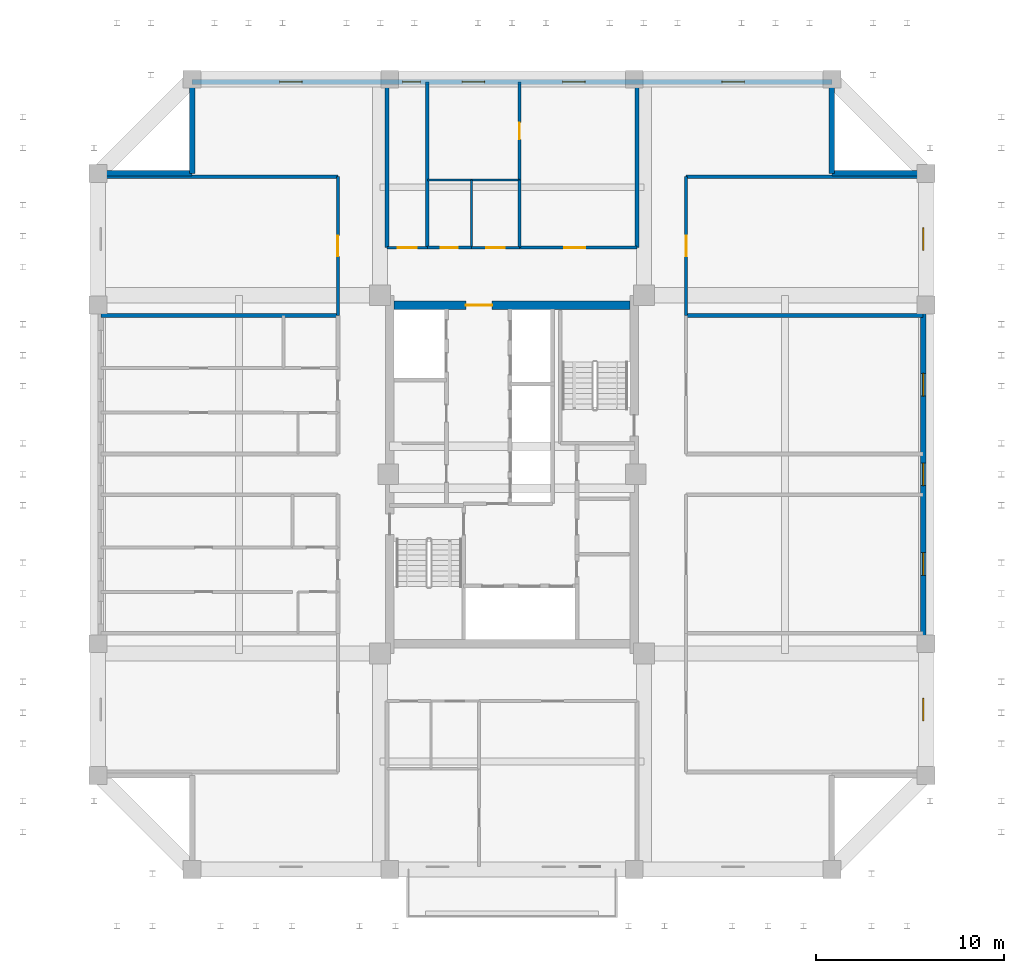
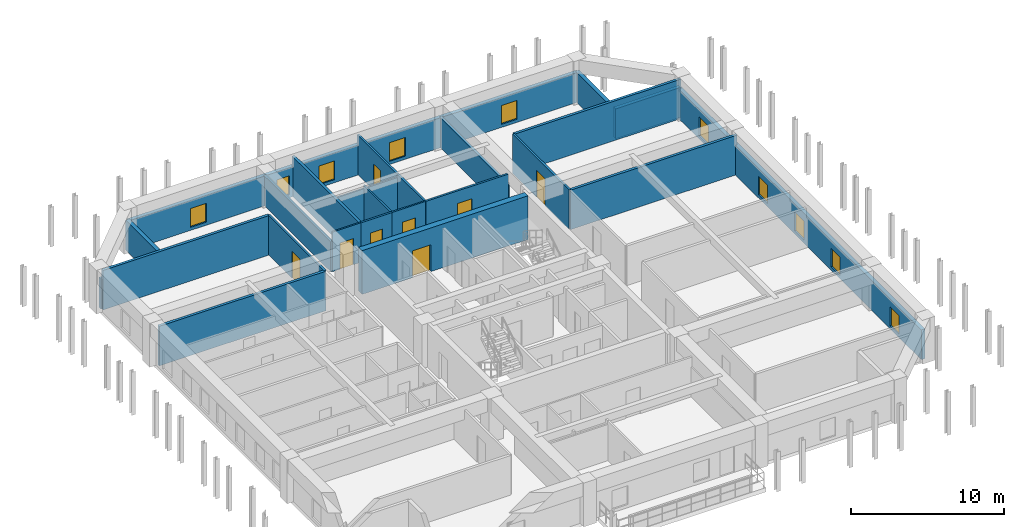
# One storey, part 10 of 13: 24 walls, 10 windows, 8 doors, 18 openings.
"""IFC4 building model written with IfcOpenShell, lengths in metres."""

from ifc_helpers import new_model, si_unit, direction, frame, frame_2d, origin, place, context, subcontext, project, spatial, rectangle, extrude, source, transform, mapped, material, layer, layer_set, type_object, element, fill, save


model = new_model("IFC4")

# Units and contexts
model_context = context("Model", 3, precision=1e-05, world=origin(), true_north=direction((0.0, 1.0)))
body_context = subcontext(model_context, "Body", "Model", "MODEL_VIEW")
ifc_project = project(units=[si_unit("LENGTHUNIT", "METRE"), si_unit("AREAUNIT", "SQUARE_METRE"), si_unit("VOLUMEUNIT", "CUBIC_METRE"), si_unit("PLANEANGLEUNIT", "RADIAN"), si_unit("MASSUNIT", "GRAM", prefix="KILO")], contexts=[model_context])

# Site, building, storey
site_placement = place(None, origin())
site = spatial("IfcSite", under=ifc_project, at=site_placement, CompositionType="ELEMENT")
building_placement = place(site_placement, origin())
building = spatial("IfcBuilding", under=site, at=building_placement, Name="Saelheon Loggia Tower", CompositionType="ELEMENT")
storey_placement = place(building_placement, frame((0.0, 0.0, 148.699951171875)))
storey = spatial("IfcBuildingStorey", under=building, at=storey_placement, Name="L47", CompositionType="ELEMENT", Elevation=148.699951171875)

# Wall, opening, door
ifc_material_1 = material(Name="Concrete C45/55", Category="concrete")
ifc_layer_1 = layer(ifc_material_1, 0.449951171875)
ifc_layer_set_1 = layer_set([ifc_layer_1], Name="Concrete C45/55")
wall_type_1 = type_object("IfcWallType", Name="Wall_CoreShear_450", PredefinedType="SHEAR", material=ifc_layer_set_1)
wall_1_placement = place(storey_placement, frame((31.72509765625, 36.0, 0.0), z_axis=(0.0, 0.0, 1.0), x_axis=(1.0, 0.0, 0.0)))
wall_1 = element("IfcWall", 1, at=wall_1_placement, inside=storey, type_object=wall_type_1, Name="L47 Core Shear Wall North", PredefinedType="SHEAR", context=body_context, shape_type="SweptSolid", body=[
    extrude(rectangle(XDim=12.5498046875, YDim=0.449951171875, at=frame_2d((6.27490234375, 0.0))), origin(), (0.0, 0.0, 1.0), 3.5),
])
opening_1_placement = place(wall_1_placement, frame((5.224853515625, 0.0, 0.0), z_axis=(0.0, 0.0, 1.0), x_axis=(-1.0, 0.0, 0.0)))
opening_1 = element("IfcOpeningElement", 2, at=opening_1_placement, cuts=wall_1, Name="Opening D-FD2L", PredefinedType="OPENING", context=body_context, shape_type="SweptSolid", body=[
    extrude(rectangle(XDim=1.39990234375, YDim=2.14990234375, at=frame_2d((0.699951171875, 1.074951171875))), frame((0.0, 0.237060546875, 0.0), z_axis=(0.0, -1.0, 0.0), x_axis=(1.0, 0.0, 0.0)), (0.0, 0.0, 1.0), 0.473876953125),
])
ifc_material_2 = material(Name="Galvanised Steel Glazed Lobby Fire Door", Category="steel")
door_type_1 = type_object("IfcDoorType", Name="Door_Fire_FD60_1400", OperationType="NOTDEFINED", PredefinedType="DOOR", material=ifc_material_2)
shared_shape_1 = source(origin(), body_context, "Body", "SweptSolid", [
    extrude(rectangle(XDim=1.39990234375, YDim=2.14990234375, at=frame_2d((0.699951171875, 1.074951171875))), frame((0.0, 0.02490234375, 0.0), z_axis=(0.0, -1.0, 0.0), x_axis=(1.0, 0.0, 0.0)), (0.0, 0.0, 1.0), 0.050048828125),
])
door_1_placement = place(opening_1_placement, origin())
door_1 = element("IfcDoor", 3, at=door_1_placement, inside=storey, type_object=door_type_1, Name="L47 Passenger Lift Lobby Main Door", OperationType="SINGLE_SWING_RIGHT", OverallHeight=2.14990234375, OverallWidth=1.39990234375, PredefinedType="DOOR", context=body_context, shape_type="MappedRepresentation", body=[
    mapped(shared_shape_1, transform((0.0, 0.0, 0.0), scale=1.0)),
])
fill(opening_1, door_1)

# Wall, openings, windows
ifc_material_3 = material(Name="Architectural Precast Concrete C40/50", Category="concrete")
ifc_layer_2 = layer(ifc_material_3, 0.280029296875)
ifc_layer_set_2 = layer_set([ifc_layer_2], Name="Architectural Precast Concrete C40/50")
wall_type_2 = type_object("IfcWallType", Name="Wall_Ext_Loggia_280", PredefinedType="SOLIDWALL", material=ifc_layer_set_2)
wall_2_placement = place(storey_placement, frame((21.0, 47.860107421875, 0.0), z_axis=(0.0, 0.0, 1.0), x_axis=(1.0, 0.0, 0.0)))
wall_2 = element("IfcWall", 4, at=wall_2_placement, inside=storey, type_object=wall_type_2, Name="L47 North Loggia Inner Wall", PredefinedType="SOLIDWALL", context=body_context, shape_type="SweptSolid", body=[
    extrude(rectangle(XDim=34.0, YDim=0.280029296875, at=frame_2d((17.0, 0.0))), origin(), (0.0, 0.0, 1.0), 2.39013671875),
])
opening_2_placement = place(wall_2_placement, frame((4.64990234375, 0.0, 0.25)))
opening_2 = element("IfcOpeningElement", 5, at=opening_2_placement, cuts=wall_2, Name="Opening WN-03", PredefinedType="OPENING", context=body_context, shape_type="SweptSolid", body=[
    extrude(rectangle(XDim=1.199951171875, YDim=1.5, at=frame_2d((0.60009765625, 0.75))), frame((0.0, 0.152099609375, 0.0), z_axis=(0.0, -1.0, 0.0), x_axis=(1.0, 0.0, 0.0)), (0.0, 0.0, 1.0), 0.303955078125),
])
opening_3_placement = place(wall_2_placement, frame((11.1826171875, 0.0, 0.25)))
opening_3 = element("IfcOpeningElement", 6, at=opening_3_placement, cuts=wall_2, Name="Opening WN-04", PredefinedType="OPENING", context=body_context, shape_type="SweptSolid", body=[
    extrude(rectangle(XDim=0.949951171875, YDim=1.5, at=frame_2d((0.47509765625, 0.75))), frame((0.0, 0.152099609375, 0.0), z_axis=(0.0, -1.0, 0.0), x_axis=(1.0, 0.0, 0.0)), (0.0, 0.0, 1.0), 0.303955078125),
])
opening_4_placement = place(wall_2_placement, frame((14.35009765625, 0.0, 0.25)))
opening_4 = element("IfcOpeningElement", 7, at=opening_4_placement, cuts=wall_2, Name="Opening WN-03", PredefinedType="OPENING", context=body_context, shape_type="SweptSolid", body=[
    extrude(rectangle(XDim=1.199951171875, YDim=1.5, at=frame_2d((0.60009765625, 0.75))), frame((0.0, 0.152099609375, 0.0), z_axis=(0.0, -1.0, 0.0), x_axis=(1.0, 0.0, 0.0)), (0.0, 0.0, 1.0), 0.303955078125),
])
opening_5_placement = place(wall_2_placement, frame((19.6923828125, 0.0, 0.25)))
opening_5 = element("IfcOpeningElement", 8, at=opening_5_placement, cuts=wall_2, Name="Opening WN-03", PredefinedType="OPENING", context=body_context, shape_type="SweptSolid", body=[
    extrude(rectangle(XDim=1.199951171875, YDim=1.5, at=frame_2d((0.60009765625, 0.75))), frame((0.0, 0.152099609375, 0.0), z_axis=(0.0, -1.0, 0.0), x_axis=(1.0, 0.0, 0.0)), (0.0, 0.0, 1.0), 0.303955078125),
])
opening_6_placement = place(wall_2_placement, frame((28.14990234375, 0.0, 0.25)))
opening_6 = element("IfcOpeningElement", 9, at=opening_6_placement, cuts=wall_2, Name="Opening WN-03", PredefinedType="OPENING", context=body_context, shape_type="SweptSolid", body=[
    extrude(rectangle(XDim=1.199951171875, YDim=1.5, at=frame_2d((0.60009765625, 0.75))), frame((0.0, 0.152099609375, 0.0), z_axis=(0.0, -1.0, 0.0), x_axis=(1.0, 0.0, 0.0)), (0.0, 0.0, 1.0), 0.303955078125),
])
ifc_material_4 = material(Name="Thermal-Break Aluminium and Triple Low-E Glass", Category="aluminium")
window_type_1 = type_object("IfcWindowType", Name="Win_Bedroom_1200x1500", PartitioningType="SINGLE_PANEL", PredefinedType="WINDOW", material=ifc_material_4)
shared_shape_2 = source(origin(), body_context, "Body", "SweptSolid", [
    extrude(rectangle(XDim=1.199951171875, YDim=1.5, at=frame_2d((0.60009765625, 0.75))), frame((0.0, 0.030029296875, 0.0), z_axis=(0.0, -1.0, 0.0), x_axis=(1.0, 0.0, 0.0)), (0.0, 0.0, 1.0), 0.06005859375),
])
window_1_placement = place(opening_2_placement, origin())
window_1 = element("IfcWindow", 10, at=window_1_placement, inside=storey, type_object=window_type_1, Name="L47 N Dwelling Window 1", OverallHeight=1.5, OverallWidth=1.199951171875, PartitioningType="SINGLE_PANEL", PredefinedType="WINDOW", context=body_context, shape_type="MappedRepresentation", body=[
    mapped(shared_shape_2, transform((0.0, 0.0, 0.0), scale=1.0)),
])
fill(opening_2, window_1)
window_2_placement = place(opening_4_placement, origin())
window_2 = element("IfcWindow", 11, at=window_2_placement, inside=storey, type_object=window_type_1, Name="L47 N Dwelling Window 3", OverallHeight=1.5, OverallWidth=1.199951171875, PartitioningType="SINGLE_PANEL", PredefinedType="WINDOW", context=body_context, shape_type="MappedRepresentation", body=[
    mapped(shared_shape_2, transform((0.0, 0.0, 0.0), scale=1.0)),
])
fill(opening_4, window_2)
window_3_placement = place(opening_5_placement, origin())
window_3 = element("IfcWindow", 12, at=window_3_placement, inside=storey, type_object=window_type_1, Name="L47 N Dwelling Window 4", OverallHeight=1.5, OverallWidth=1.199951171875, PartitioningType="SINGLE_PANEL", PredefinedType="WINDOW", context=body_context, shape_type="MappedRepresentation", body=[
    mapped(shared_shape_2, transform((0.0, 0.0, 0.0), scale=1.0)),
])
fill(opening_5, window_3)
window_4_placement = place(opening_6_placement, origin())
window_4 = element("IfcWindow", 13, at=window_4_placement, inside=storey, type_object=window_type_1, Name="L47 N Dwelling Window 5", OverallHeight=1.5, OverallWidth=1.199951171875, PartitioningType="SINGLE_PANEL", PredefinedType="WINDOW", context=body_context, shape_type="MappedRepresentation", body=[
    mapped(shared_shape_2, transform((0.0, 0.0, 0.0), scale=1.0)),
])
fill(opening_6, window_4)
window_type_2 = type_object("IfcWindowType", Name="Win_Narrow_950x1500", PartitioningType="SINGLE_PANEL", PredefinedType="WINDOW", material=ifc_material_4)
shared_shape_3 = source(origin(), body_context, "Body", "SweptSolid", [
    extrude(rectangle(XDim=0.949951171875, YDim=1.5, at=frame_2d((0.47509765625, 0.75))), frame((0.0, 0.030029296875, 0.0), z_axis=(0.0, -1.0, 0.0), x_axis=(1.0, 0.0, 0.0)), (0.0, 0.0, 1.0), 0.06005859375),
])
window_5_placement = place(opening_3_placement, origin())
window_5 = element("IfcWindow", 14, at=window_5_placement, inside=storey, type_object=window_type_2, Name="L47 N Dwelling Window 2", OverallHeight=1.5, OverallWidth=0.949951171875, PartitioningType="SINGLE_PANEL", PredefinedType="WINDOW", context=body_context, shape_type="MappedRepresentation", body=[
    mapped(shared_shape_3, transform((0.0, 0.0, 0.0), scale=1.0)),
])
fill(opening_3, window_5)

wall_3_placement = place(storey_placement, frame((59.860107421875, 11.0, 0.0), z_axis=(0.0, 0.0, 1.0), x_axis=(0.0, 1.0, 0.0)))
wall_3 = element("IfcWall", 15, at=wall_3_placement, inside=storey, type_object=wall_type_2, Name="L47 East Loggia Inner Wall", PredefinedType="SOLIDWALL", context=body_context, shape_type="SweptSolid", body=[
    extrude(rectangle(XDim=32.0, YDim=0.280029296875, at=frame_2d((16.0, 0.0))), origin(), (0.0, 0.0, 1.0), 2.39013671875),
])
opening_7_placement = place(wall_3_placement, frame((2.89990234375, 0.0, 0.25)))
opening_7 = element("IfcOpeningElement", 16, at=opening_7_placement, cuts=wall_3, Name="Opening WN-03", PredefinedType="OPENING", context=body_context, shape_type="SweptSolid", body=[
    extrude(rectangle(XDim=1.199951171875, YDim=1.5, at=frame_2d((0.60009765625, 0.75))), frame((0.0, 0.152099609375, 0.0), z_axis=(0.0, -1.0, 0.0), x_axis=(1.0, 0.0, 0.0)), (0.0, 0.0, 1.0), 0.303955078125),
])
opening_8_placement = place(wall_3_placement, frame((10.635009765625, 0.0, 0.25)))
opening_8 = element("IfcOpeningElement", 17, at=opening_8_placement, cuts=wall_3, Name="Opening WN-03", PredefinedType="OPENING", context=body_context, shape_type="SweptSolid", body=[
    extrude(rectangle(XDim=1.199951171875, YDim=1.5, at=frame_2d((0.60009765625, 0.75))), frame((0.0, 0.152099609375, 0.0), z_axis=(0.0, -1.0, 0.0), x_axis=(1.0, 0.0, 0.0)), (0.0, 0.0, 1.0), 0.303955078125),
])
opening_9_placement = place(wall_3_placement, frame((15.39990234375, 0.0, 0.25)))
opening_9 = element("IfcOpeningElement", 18, at=opening_9_placement, cuts=wall_3, Name="Opening WN-03", PredefinedType="OPENING", context=body_context, shape_type="SweptSolid", body=[
    extrude(rectangle(XDim=1.199951171875, YDim=1.5, at=frame_2d((0.60009765625, 0.75))), frame((0.0, 0.152099609375, 0.0), z_axis=(0.0, -1.0, 0.0), x_axis=(1.0, 0.0, 0.0)), (0.0, 0.0, 1.0), 0.303955078125),
])
opening_10_placement = place(wall_3_placement, frame((20.1650390625, 0.0, 0.25)))
opening_10 = element("IfcOpeningElement", 19, at=opening_10_placement, cuts=wall_3, Name="Opening WN-03", PredefinedType="OPENING", context=body_context, shape_type="SweptSolid", body=[
    extrude(rectangle(XDim=1.199951171875, YDim=1.5, at=frame_2d((0.60009765625, 0.75))), frame((0.0, 0.152099609375, 0.0), z_axis=(0.0, -1.0, 0.0), x_axis=(1.0, 0.0, 0.0)), (0.0, 0.0, 1.0), 0.303955078125),
])
opening_11_placement = place(wall_3_placement, frame((27.89990234375, 0.0, 0.25)))
opening_11 = element("IfcOpeningElement", 20, at=opening_11_placement, cuts=wall_3, Name="Opening WN-03", PredefinedType="OPENING", context=body_context, shape_type="SweptSolid", body=[
    extrude(rectangle(XDim=1.199951171875, YDim=1.5, at=frame_2d((0.60009765625, 0.75))), frame((0.0, 0.152099609375, 0.0), z_axis=(0.0, -1.0, 0.0), x_axis=(1.0, 0.0, 0.0)), (0.0, 0.0, 1.0), 0.303955078125),
])
window_6_placement = place(opening_7_placement, origin())
window_6 = element("IfcWindow", 21, at=window_6_placement, inside=storey, type_object=window_type_1, Name="L47 E Dwelling Window 1", OverallHeight=1.5, OverallWidth=1.199951171875, PartitioningType="SINGLE_PANEL", PredefinedType="WINDOW", context=body_context, shape_type="MappedRepresentation", body=[
    mapped(shared_shape_2, transform((0.0, 0.0, 0.0), scale=1.0)),
])
fill(opening_7, window_6)
window_7_placement = place(opening_8_placement, origin())
window_7 = element("IfcWindow", 22, at=window_7_placement, inside=storey, type_object=window_type_1, Name="L47 E Dwelling Window 2", OverallHeight=1.5, OverallWidth=1.199951171875, PartitioningType="SINGLE_PANEL", PredefinedType="WINDOW", context=body_context, shape_type="MappedRepresentation", body=[
    mapped(shared_shape_2, transform((0.0, 0.0, 0.0), scale=1.0)),
])
fill(opening_8, window_7)
window_8_placement = place(opening_9_placement, origin())
window_8 = element("IfcWindow", 23, at=window_8_placement, inside=storey, type_object=window_type_1, Name="L47 E Dwelling Window 3", OverallHeight=1.5, OverallWidth=1.199951171875, PartitioningType="SINGLE_PANEL", PredefinedType="WINDOW", context=body_context, shape_type="MappedRepresentation", body=[
    mapped(shared_shape_2, transform((0.0, 0.0, 0.0), scale=1.0)),
])
fill(opening_9, window_8)
window_9_placement = place(opening_10_placement, origin())
window_9 = element("IfcWindow", 24, at=window_9_placement, inside=storey, type_object=window_type_1, Name="L47 E Dwelling Window 4", OverallHeight=1.5, OverallWidth=1.199951171875, PartitioningType="SINGLE_PANEL", PredefinedType="WINDOW", context=body_context, shape_type="MappedRepresentation", body=[
    mapped(shared_shape_2, transform((0.0, 0.0, 0.0), scale=1.0)),
])
fill(opening_10, window_9)
window_10_placement = place(opening_11_placement, origin())
window_10 = element("IfcWindow", 25, at=window_10_placement, inside=storey, type_object=window_type_1, Name="L47 E Dwelling Window 5", OverallHeight=1.5, OverallWidth=1.199951171875, PartitioningType="SINGLE_PANEL", PredefinedType="WINDOW", context=body_context, shape_type="MappedRepresentation", body=[
    mapped(shared_shape_2, transform((0.0, 0.0, 0.0), scale=1.0)),
])
fill(opening_11, window_10)

# Walls
for number, where, z_axis, x_axis, name in (
    (26, (21.0, 43.0, 0.0), (0.0, 0.0, 1.0), (0.0, 1.0, 0.0), "L47 Corner Notch Precast Wall NW1"),
    (27, (16.080078125, 43.0, 0.0), (0.0, 0.0, 1.0), (1.0, 0.0, 0.0), "L47 Corner Notch Precast Wall NW2"),
    (28, (55.0, 43.0, 0.0), (0.0, 0.0, 1.0), (0.0, 1.0, 0.0), "L47 Corner Notch Precast Wall NE1"),
    (29, (55.0, 43.0, 0.0), (0.0, 0.0, 1.0), (1.0, 0.0, 0.0), "L47 Corner Notch Precast Wall NE2"),
):
    element("IfcWall", number, at=place(storey_placement, frame(where, z_axis=z_axis, x_axis=x_axis)), inside=storey, type_object=wall_type_2, Name=name, PredefinedType="SOLIDWALL", context=body_context, shape_type="SweptSolid", body=[
        extrude(rectangle(XDim=4.919921875, YDim=0.280029296875, at=frame_2d((2.4599609375, 0.0))), origin(), (0.0, 0.0, 1.0), 2.39013671875),
    ])
ifc_material_5 = material(Name="Lightweight Autoclaved Aerated Concrete Block and Acoustic Gypsum", Category="concrete")
ifc_layer_3 = layer(ifc_material_5, 0.14990234375)
ifc_layer_set_3 = layer_set([ifc_layer_3], Name="Lightweight Autoclaved Aerated Concrete Block and Acoustic Gypsum")
wall_type_3 = type_object("IfcWallType", Name="Wall_Part_150", PredefinedType="PARTITIONING", material=ifc_layer_set_3)
wall_4_placement = place(storey_placement, frame((38.39990234375, 39.050048828125, 0.0), z_axis=(0.0, 0.0, 1.0), x_axis=(0.0, 1.0, 0.0)))
element("IfcWall", 30, at=wall_4_placement, inside=storey, type_object=wall_type_3, Name="L47 N Partition U06", PredefinedType="PARTITIONING", context=body_context, shape_type="SweptSolid", body=[
    extrude(rectangle(XDim=3.599853515625, YDim=0.14990234375, at=frame_2d((1.7998046875, 0.0))), origin(), (0.0, 0.0, 1.0), 3.16015625),
])

# Wall, opening, door
wall_5_placement = place(storey_placement, frame((38.39990234375, 42.64990234375, 0.0), z_axis=(0.0, 0.0, 1.0), x_axis=(0.0, 1.0, 0.0)))
wall_5 = element("IfcWall", 31, at=wall_5_placement, inside=storey, type_object=wall_type_3, Name="L47 N Partition U07", PredefinedType="PARTITIONING", context=body_context, shape_type="SweptSolid", body=[
    extrude(rectangle(XDim=5.2001953125, YDim=0.14990234375, at=frame_2d((2.60009765625, 0.0))), origin(), (0.0, 0.0, 1.0), 3.16015625),
])
opening_12_placement = place(wall_5_placement, frame((2.14990234375, 0.0, 0.0)))
opening_12 = element("IfcOpeningElement", 32, at=opening_12_placement, cuts=wall_5, Name="Opening D-IN2", PredefinedType="OPENING", context=body_context, shape_type="SweptSolid", body=[
    extrude(rectangle(XDim=0.89990234375, YDim=2.10009765625, at=frame_2d((0.449951171875, 1.050048828125))), frame((0.0, 0.0869140625, 0.0), z_axis=(0.0, -1.0, 0.0), x_axis=(1.0, 0.0, 0.0)), (0.0, 0.0, 1.0), 0.173828125),
])
ifc_material_6 = material(Name="Engineered Oak Flush Door", Category="timber")
door_type_2 = type_object("IfcDoorType", Name="Door_Int_900", OperationType="NOTDEFINED", PredefinedType="DOOR", material=ifc_material_6)
shared_shape_4 = source(origin(), body_context, "Body", "SweptSolid", [
    extrude(rectangle(XDim=0.89990234375, YDim=2.10009765625, at=frame_2d((0.449951171875, 1.050048828125))), frame((0.0, 0.02490234375, 0.0), z_axis=(0.0, -1.0, 0.0), x_axis=(1.0, 0.0, 0.0)), (0.0, 0.0, 1.0), 0.050048828125),
])
door_2_placement = place(opening_12_placement, origin())
door_2 = element("IfcDoor", 33, at=door_2_placement, inside=storey, type_object=door_type_2, Name="L47 Reading Alcove Door", OperationType="SINGLE_SWING_LEFT", OverallHeight=2.10009765625, OverallWidth=0.89990234375, PredefinedType="DOOR", context=body_context, shape_type="MappedRepresentation", body=[
    mapped(shared_shape_4, transform((0.0, 0.0, 0.0), scale=1.0)),
])
fill(opening_12, door_2)

wall_6_placement = place(storey_placement, frame((33.5, 39.050048828125, 0.0), z_axis=(0.0, 0.0, 1.0), x_axis=(1.0, 0.0, 0.0)))
wall_6 = element("IfcWall", 34, at=wall_6_placement, inside=storey, type_object=wall_type_3, Name="L47 N Partition V09", PredefinedType="PARTITIONING", context=body_context, shape_type="SweptSolid", body=[
    extrude(rectangle(XDim=2.35009765625, YDim=0.14990234375, at=frame_2d((1.175048828125, 0.0))), origin(), (0.0, 0.0, 1.0), 3.16015625),
])
opening_13_placement = place(wall_6_placement, frame((0.72509765625, 0.0, 0.0)))
opening_13 = element("IfcOpeningElement", 35, at=opening_13_placement, cuts=wall_6, Name="Opening D-IN2", PredefinedType="OPENING", context=body_context, shape_type="SweptSolid", body=[
    extrude(rectangle(XDim=0.89990234375, YDim=2.10009765625, at=frame_2d((0.449951171875, 1.050048828125))), frame((0.0, 0.0869140625, 0.0), z_axis=(0.0, -1.0, 0.0), x_axis=(1.0, 0.0, 0.0)), (0.0, 0.0, 1.0), 0.173828125),
])
door_3_placement = place(opening_13_placement, origin())
door_3 = element("IfcDoor", 36, at=door_3_placement, inside=storey, type_object=door_type_2, Name="L47 Community Pantry Door", OperationType="SINGLE_SWING_RIGHT", OverallHeight=2.10009765625, OverallWidth=0.89990234375, PredefinedType="DOOR", context=body_context, shape_type="MappedRepresentation", body=[
    mapped(shared_shape_4, transform((0.0, 0.0, 0.0), scale=1.0)),
])
fill(opening_13, door_3)

wall_7_placement = place(storey_placement, frame((38.39990234375, 39.050048828125, 0.0), z_axis=(0.0, 0.0, 1.0), x_axis=(1.0, 0.0, 0.0)))
wall_7 = element("IfcWall", 37, at=wall_7_placement, inside=storey, type_object=wall_type_3, Name="L47 N Partition V11", PredefinedType="PARTITIONING", context=body_context, shape_type="SweptSolid", body=[
    extrude(rectangle(XDim=6.25, YDim=0.14990234375, at=frame_2d((3.125, 0.0))), origin(), (0.0, 0.0, 1.0), 3.16015625),
])
opening_14_placement = place(wall_7_placement, frame((2.382080078125, 0.0, 0.0)))
opening_14 = element("IfcOpeningElement", 38, at=opening_14_placement, cuts=wall_7, Name="Opening D-FD2", PredefinedType="OPENING", context=body_context, shape_type="SweptSolid", body=[
    extrude(rectangle(XDim=1.10009765625, YDim=2.14990234375, at=frame_2d((0.550048828125, 1.074951171875))), frame((0.0, 0.0869140625, 0.0), z_axis=(0.0, -1.0, 0.0), x_axis=(1.0, 0.0, 0.0)), (0.0, 0.0, 1.0), 0.173828125),
])
ifc_material_7 = material(Name="Galvanised Steel Fire Door", Category="steel")
door_type_3 = type_object("IfcDoorType", Name="Door_Fire_FD60_1100", OperationType="NOTDEFINED", PredefinedType="DOOR", material=ifc_material_7)
shared_shape_5 = source(origin(), body_context, "Body", "SweptSolid", [
    extrude(rectangle(XDim=1.10009765625, YDim=2.14990234375, at=frame_2d((0.550048828125, 1.074951171875))), frame((0.0, 0.02490234375, 0.0), z_axis=(0.0, -1.0, 0.0), x_axis=(1.0, 0.0, 0.0)), (0.0, 0.0, 1.0), 0.050048828125),
])
door_4_placement = place(opening_14_placement, origin())
door_4 = element("IfcDoor", 39, at=door_4_placement, inside=storey, type_object=door_type_3, Name="L47 Resident Seminar and Study Hall Door A", OperationType="SINGLE_SWING_RIGHT", OverallHeight=2.14990234375, OverallWidth=1.10009765625, PredefinedType="DOOR", context=body_context, shape_type="MappedRepresentation", body=[
    mapped(shared_shape_5, transform((0.0, 0.0, 0.0), scale=1.0)),
])
fill(opening_14, door_4)

wall_8_placement = place(storey_placement, frame((28.75, 35.449951171875, 0.0), z_axis=(0.0, 0.0, 1.0), x_axis=(0.0, 1.0, 0.0)))
wall_8 = element("IfcWall", 40, at=wall_8_placement, inside=storey, type_object=wall_type_3, Name="L47 WN Partition V14", PredefinedType="PARTITIONING", context=body_context, shape_type="SweptSolid", body=[
    extrude(rectangle(XDim=7.3701171875, YDim=0.14990234375, at=frame_2d((3.68505859375, 0.0))), origin(), (0.0, 0.0, 1.0), 3.16015625),
])
opening_15_placement = place(wall_8_placement, frame((3.135009765625, 0.0, 0.0)))
opening_15 = element("IfcOpeningElement", 41, at=opening_15_placement, cuts=wall_8, Name="Opening D-FD2", PredefinedType="OPENING", context=body_context, shape_type="SweptSolid", body=[
    extrude(rectangle(XDim=1.10009765625, YDim=2.14990234375, at=frame_2d((0.550048828125, 1.074951171875))), frame((0.0, 0.0869140625, 0.0), z_axis=(0.0, -1.0, 0.0), x_axis=(1.0, 0.0, 0.0)), (0.0, 0.0, 1.0), 0.173828125),
])
door_5_placement = place(opening_15_placement, origin())
door_5 = element("IfcDoor", 42, at=door_5_placement, inside=storey, type_object=door_type_3, Name="L47 Community Wellness Activity Hall Door A", OperationType="SINGLE_SWING_RIGHT", OverallHeight=2.14990234375, OverallWidth=1.10009765625, PredefinedType="DOOR", context=body_context, shape_type="MappedRepresentation", body=[
    mapped(shared_shape_5, transform((0.0, 0.0, 0.0), scale=1.0)),
])
fill(opening_15, door_5)

wall_9_placement = place(storey_placement, frame((47.25, 35.449951171875, 0.0), z_axis=(0.0, 0.0, 1.0), x_axis=(0.0, 1.0, 0.0)))
wall_9 = element("IfcWall", 43, at=wall_9_placement, inside=storey, type_object=wall_type_3, Name="L47 EN Partition V05", PredefinedType="PARTITIONING", context=body_context, shape_type="SweptSolid", body=[
    extrude(rectangle(XDim=7.3701171875, YDim=0.14990234375, at=frame_2d((3.68505859375, 0.0))), origin(), (0.0, 0.0, 1.0), 3.16015625),
])
opening_16_placement = place(wall_9_placement, frame((3.135009765625, 0.0, 0.0)))
opening_16 = element("IfcOpeningElement", 44, at=opening_16_placement, cuts=wall_9, Name="Opening D-FD2", PredefinedType="OPENING", context=body_context, shape_type="SweptSolid", body=[
    extrude(rectangle(XDim=1.10009765625, YDim=2.14990234375, at=frame_2d((0.550048828125, 1.074951171875))), frame((0.0, 0.0869140625, 0.0), z_axis=(0.0, -1.0, 0.0), x_axis=(1.0, 0.0, 0.0)), (0.0, 0.0, 1.0), 0.173828125),
])
door_6_placement = place(opening_16_placement, origin())
door_6 = element("IfcDoor", 45, at=door_6_placement, inside=storey, type_object=door_type_3, Name="L47 Resident Fitness Gymnasium Door A", OperationType="SINGLE_SWING_RIGHT", OverallHeight=2.14990234375, OverallWidth=1.10009765625, PredefinedType="DOOR", context=body_context, shape_type="MappedRepresentation", body=[
    mapped(shared_shape_5, transform((0.0, 0.0, 0.0), scale=1.0)),
])
fill(opening_16, door_6)

# Walls
ifc_material_8 = material(Name="Double Acoustic Stud and Fireboard Partition", Category="gypsum")
ifc_layer_4 = layer(ifc_material_8, 0.199951171875)
ifc_layer_set_4 = layer_set([ifc_layer_4], Name="Double Acoustic Stud and Fireboard Partition")
wall_type_4 = type_object("IfcWallType", Name="Wall_Party_200", PredefinedType="PARTITIONING", material=ifc_layer_set_4)
for number, where, z_axis, x_axis, name in (
    (46, (31.35009765625, 39.050048828125, 0.0), (0.0, 0.0, 1.0), (0.0, 1.0, 0.0), "L47 N Partition U01"),
    (47, (44.64990234375, 39.050048828125, 0.0), (0.0, 0.0, 1.0), (0.0, 1.0, 0.0), "L47 N Partition U02"),
):
    element("IfcWall", number, at=place(storey_placement, frame(where, z_axis=z_axis, x_axis=x_axis)), inside=storey, type_object=wall_type_4, Name=name, PredefinedType="PARTITIONING", context=body_context, shape_type="SweptSolid", body=[
        extrude(rectangle(XDim=8.800048828125, YDim=0.199951171875, at=frame_2d((4.39990234375, 0.0))), origin(), (0.0, 0.0, 1.0), 2.39013671875),
    ])
wall_10_placement = place(storey_placement, frame((33.5, 39.050048828125, 0.0), z_axis=(0.0, 0.0, 1.0), x_axis=(0.0, 1.0, 0.0)))
element("IfcWall", 48, at=wall_10_placement, inside=storey, type_object=wall_type_4, Name="L47 N Partition U03", PredefinedType="PARTITIONING", context=body_context, shape_type="SweptSolid", body=[
    extrude(rectangle(XDim=8.800048828125, YDim=0.199951171875, at=frame_2d((4.39990234375, 0.0))), origin(), (0.0, 0.0, 1.0), 3.16015625),
])
for number, where, z_axis, x_axis, name in (
    (49, (28.75, 42.820068359375, 0.0), (0.0, 0.0, 1.0), (-1.0, 0.0, 0.0), "L47 WN Partition U02"),
    (50, (28.75, 35.449951171875, 0.0), (0.0, 0.0, 1.0), (-1.0, 0.0, 0.0), "L47 WN Partition U13"),
    (51, (47.25, 42.820068359375, 0.0), (0.0, 0.0, 1.0), (1.0, 0.0, 0.0), "L47 EN Partition U02"),
    (52, (47.25, 35.449951171875, 0.0), (0.0, 0.0, 1.0), (1.0, 0.0, 0.0), "L47 EN Partition U04"),
):
    element("IfcWall", number, at=place(storey_placement, frame(where, z_axis=z_axis, x_axis=x_axis)), inside=storey, type_object=wall_type_4, Name=name, PredefinedType="PARTITIONING", context=body_context, shape_type="SweptSolid", body=[
        extrude(rectangle(XDim=12.60009765625, YDim=0.199951171875, at=frame_2d((6.300048828125, 0.0))), origin(), (0.0, 0.0, 1.0), 3.16015625),
    ])

# Wall, opening, door
ifc_material_9 = material(Name="Moisture-Resistant Cement Board Partition", Category="gypsum")
ifc_layer_5 = layer(ifc_material_9, 0.1201171875)
ifc_layer_set_5 = layer_set([ifc_layer_5], Name="Moisture-Resistant Cement Board Partition")
wall_type_5 = type_object("IfcWallType", Name="Wall_WetPart_120", PredefinedType="PARTITIONING", material=ifc_layer_set_5)
wall_11_placement = place(storey_placement, frame((31.35009765625, 39.050048828125, 0.0), z_axis=(0.0, 0.0, 1.0), x_axis=(1.0, 0.0, 0.0)))
wall_11 = element("IfcWall", 53, at=wall_11_placement, inside=storey, type_object=wall_type_5, Name="L47 N Partition V04", PredefinedType="PARTITIONING", context=body_context, shape_type="SweptSolid", body=[
    extrude(rectangle(XDim=2.14990234375, YDim=0.1201171875, at=frame_2d((1.074951171875, 0.0))), origin(), (0.0, 0.0, 1.0), 3.16015625),
])
opening_17_placement = place(wall_11_placement, frame((0.574951171875, 0.0, 0.0)))
opening_17 = element("IfcOpeningElement", 54, at=opening_17_placement, cuts=wall_11, Name="Opening D-AC1", PredefinedType="OPENING", context=body_context, shape_type="SweptSolid", body=[
    extrude(rectangle(XDim=1.0, YDim=2.10009765625, at=frame_2d((0.5, 1.050048828125))), frame((0.0, 0.072021484375, 0.0), z_axis=(0.0, -1.0, 0.0), x_axis=(1.0, 0.0, 0.0)), (0.0, 0.0, 1.0), 0.14404296875),
])
ifc_material_10 = material(Name="Accessible Laminate Flush Door", Category="timber")
door_type_4 = type_object("IfcDoorType", Name="Door_Acc_1000", OperationType="NOTDEFINED", PredefinedType="DOOR", material=ifc_material_10)
shared_shape_6 = source(origin(), body_context, "Body", "SweptSolid", [
    extrude(rectangle(XDim=1.0, YDim=2.10009765625, at=frame_2d((0.5, 1.050048828125))), frame((0.0, 0.02490234375, 0.0), z_axis=(0.0, -1.0, 0.0), x_axis=(1.0, 0.0, 0.0)), (0.0, 0.0, 1.0), 0.050048828125),
])
door_7_placement = place(opening_17_placement, origin())
door_7 = element("IfcDoor", 55, at=door_7_placement, inside=storey, type_object=door_type_4, Name="L47 Floor Accessible WC Door", OperationType="SINGLE_SWING_RIGHT", OverallHeight=2.10009765625, OverallWidth=1.0, PredefinedType="DOOR", context=body_context, shape_type="MappedRepresentation", body=[
    mapped(shared_shape_6, transform((0.0, 0.0, 0.0), scale=1.0)),
])
fill(opening_17, door_7)

# Walls
wall_12_placement = place(storey_placement, frame((35.85009765625, 39.050048828125, 0.0), z_axis=(0.0, 0.0, 1.0), x_axis=(0.0, 1.0, 0.0)))
element("IfcWall", 56, at=wall_12_placement, inside=storey, type_object=wall_type_5, Name="L47 N Partition U05", PredefinedType="PARTITIONING", context=body_context, shape_type="SweptSolid", body=[
    extrude(rectangle(XDim=3.599853515625, YDim=0.1201171875, at=frame_2d((1.7998046875, 0.0))), origin(), (0.0, 0.0, 1.0), 3.16015625),
])
wall_13_placement = place(storey_placement, frame((33.5, 42.64990234375, 0.0), z_axis=(0.0, 0.0, 1.0), x_axis=(1.0, 0.0, 0.0)))
element("IfcWall", 57, at=wall_13_placement, inside=storey, type_object=wall_type_5, Name="L47 N Partition V08", PredefinedType="PARTITIONING", context=body_context, shape_type="SweptSolid", body=[
    extrude(rectangle(XDim=4.89990234375, YDim=0.1201171875, at=frame_2d((2.449951171875, 0.0))), origin(), (0.0, 0.0, 1.0), 2.89013671875),
])

# Wall, opening, door
wall_14_placement = place(storey_placement, frame((35.85009765625, 39.050048828125, 0.0), z_axis=(0.0, 0.0, 1.0), x_axis=(1.0, 0.0, 0.0)))
wall_14 = element("IfcWall", 58, at=wall_14_placement, inside=storey, type_object=wall_type_5, Name="L47 N Partition V10", PredefinedType="PARTITIONING", context=body_context, shape_type="SweptSolid", body=[
    extrude(rectangle(XDim=2.5498046875, YDim=0.1201171875, at=frame_2d((1.27490234375, 0.0))), origin(), (0.0, 0.0, 1.0), 3.16015625),
])
opening_18_placement = place(wall_14_placement, frame((0.77490234375, 0.0, 0.0)))
opening_18 = element("IfcOpeningElement", 59, at=opening_18_placement, cuts=wall_14, Name="Opening D-AC1", PredefinedType="OPENING", context=body_context, shape_type="SweptSolid", body=[
    extrude(rectangle(XDim=1.0, YDim=2.10009765625, at=frame_2d((0.5, 1.050048828125))), frame((0.0, 0.072021484375, 0.0), z_axis=(0.0, -1.0, 0.0), x_axis=(1.0, 0.0, 0.0)), (0.0, 0.0, 1.0), 0.14404296875),
])
door_8_placement = place(opening_18_placement, origin())
door_8 = element("IfcDoor", 60, at=door_8_placement, inside=storey, type_object=door_type_4, Name="L47 Common Washroom Door", OperationType="SINGLE_SWING_LEFT", OverallHeight=2.10009765625, OverallWidth=1.0, PredefinedType="DOOR", context=body_context, shape_type="MappedRepresentation", body=[
    mapped(shared_shape_6, transform((0.0, 0.0, 0.0), scale=1.0)),
])
fill(opening_18, door_8)

save(model, "model.ifc")
